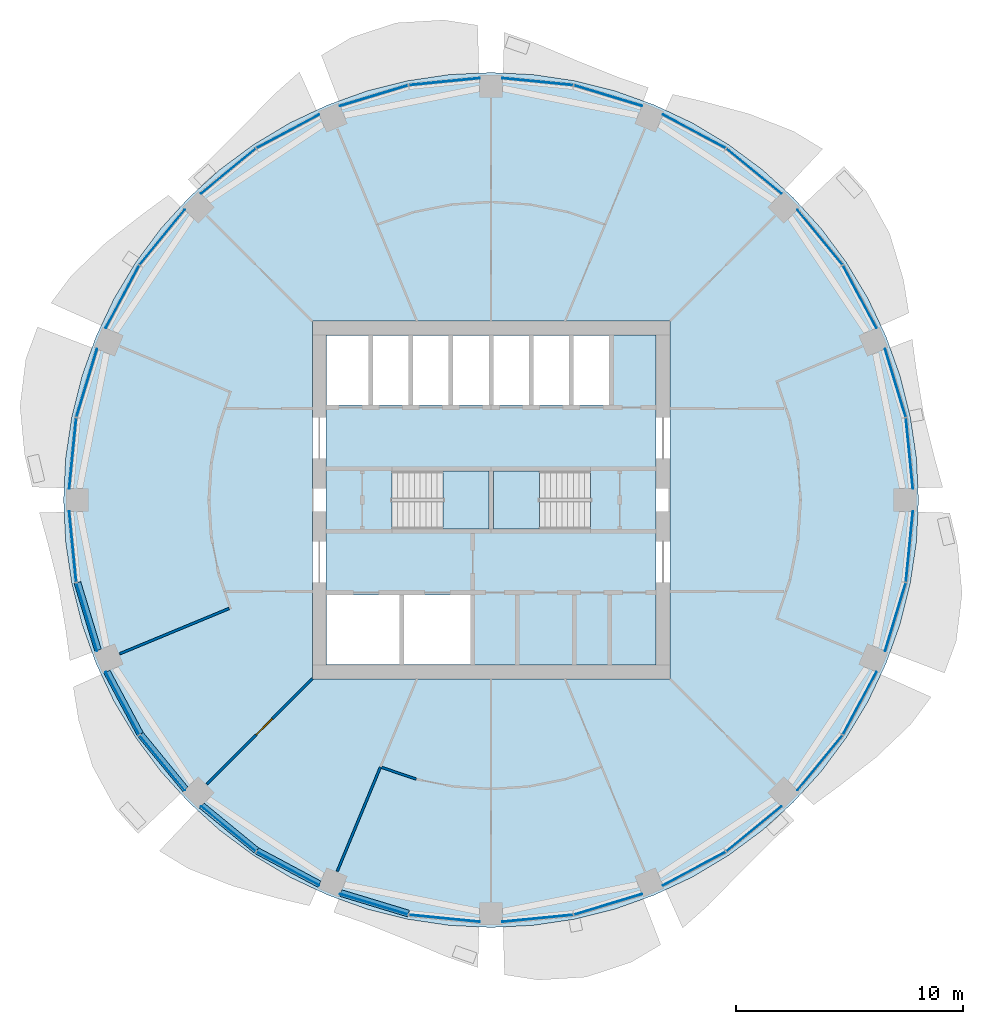
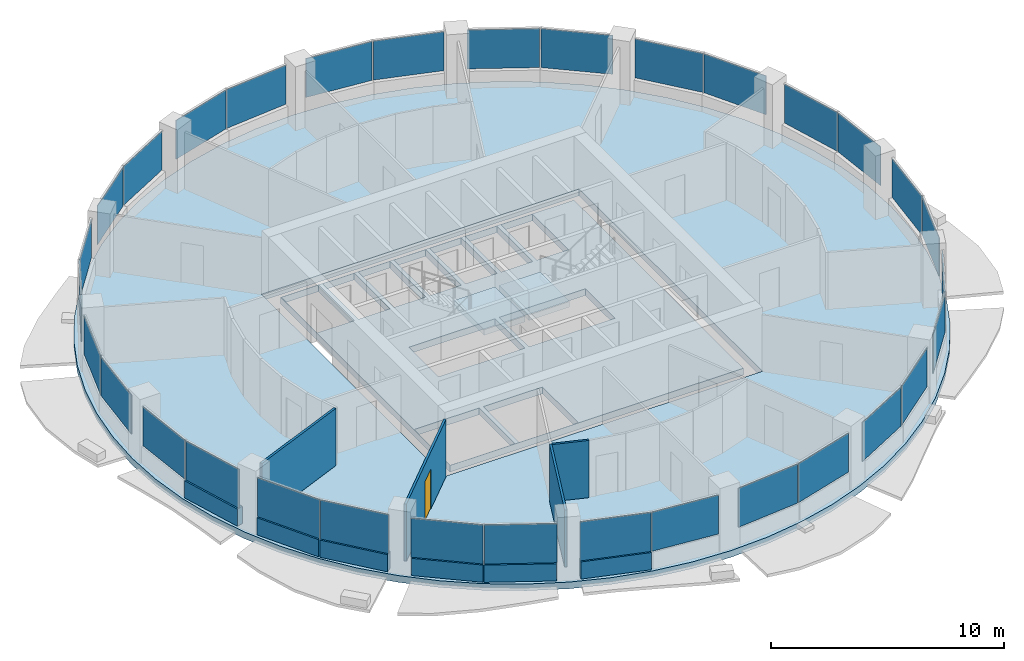
# One storey, part 7 of 15: 32 plates, 10 walls, 4 slabs, 1 door, 1 opening, 18 elements without a shape of their own.
"""IFC4 building model written with IfcOpenShell, lengths in metres."""

from ifc_helpers import new_model, si_unit, direction, frame, frame_2d, origin, origin_2d, place, context, subcontext, project, spatial, polyline, rectangle, outline, extrude, material, layer, layer_set, type_object, element, fill, aggregate, save


model = new_model("IFC4")

# Units and contexts
model_context = context("Model", 3, precision=1e-05, world=origin(), true_north=direction((0.0, 1.0)))
body_context = subcontext(model_context, "Body", "Model", "MODEL_VIEW")
ifc_project = project(units=[si_unit("LENGTHUNIT", "METRE"), si_unit("AREAUNIT", "SQUARE_METRE"), si_unit("VOLUMEUNIT", "CUBIC_METRE"), si_unit("PLANEANGLEUNIT", "RADIAN"), si_unit("MASSUNIT", "GRAM", prefix="KILO")], contexts=[model_context])

# Site, building, storey
site_placement = place(None, origin())
site = spatial("IfcSite", under=ifc_project, at=site_placement, CompositionType="ELEMENT")
building_placement = place(site_placement, origin())
building = spatial("IfcBuilding", under=site, at=building_placement, Name="Polderwave Tower", CompositionType="ELEMENT")
storey_placement = place(building_placement, frame((0.0, 0.0, 157.800048828125)))
storey = spatial("IfcBuildingStorey", under=building, at=storey_placement, Name="L42", CompositionType="ELEMENT", Elevation=157.800048828125)

# Slab
ifc_material_1 = material(Name="Concrete C40/50", Category="concrete")
ifc_layer_1 = layer(ifc_material_1, 0.35009765625)
ifc_layer_set_1 = layer_set([ifc_layer_1], Name="Core floor slab 350")
slab_type_1 = type_object("IfcSlabType", Name="Core floor slab 350", PredefinedType="FLOOR", material=ifc_layer_set_1)
slab_1_placement = place(storey_placement, frame((0.0, 0.0, -0.35009765625)))
element("IfcSlab", 1, at=slab_1_placement, inside=storey, type_object=slab_type_1, Name="L42 core floor", PredefinedType="FLOOR", context=body_context, shape_type="SweptSolid", body=[
    extrude(outline(polyline([(-7.27392578125, -7.27392578125), (7.27392578125, -7.27392578125), (7.27392578125, 7.27392578125), (-7.27392578125, 7.27392578125), (-7.27392578125, -7.27392578125)]), holes=[polyline([(-7.25390625, -7.25390625), (-4.037109375, -7.25390625), (-4.037109375, -4.174072265625), (-7.25390625, -4.174072265625), (-7.25390625, -7.25390625)]), polyline([(-3.8369140625, -7.25390625), (-0.89990234375, -7.25390625), (-0.89990234375, -4.174072265625), (-3.8369140625, -4.174072265625), (-3.8369140625, -7.25390625)]), polyline([(-7.25390625, 4.174072265625), (-5.405517578125, 4.174072265625), (-5.405517578125, 7.25390625), (-7.25390625, 7.25390625), (-7.25390625, 4.174072265625)]), polyline([(-5.20556640625, 4.174072265625), (-3.636962890625, 4.174072265625), (-3.636962890625, 7.25390625), (-5.20556640625, 7.25390625), (-5.20556640625, 4.174072265625)]), polyline([(-3.43701171875, 4.174072265625), (-1.868408203125, 4.174072265625), (-1.868408203125, 7.25390625), (-3.43701171875, 7.25390625), (-3.43701171875, 4.174072265625)]), polyline([(-1.66845703125, 4.174072265625), (-0.10009765625, 4.174072265625), (-0.10009765625, 7.25390625), (-1.66845703125, 7.25390625), (-1.66845703125, 4.174072265625)]), polyline([(0.10009765625, 4.174072265625), (1.66845703125, 4.174072265625), (1.66845703125, 7.25390625), (0.10009765625, 7.25390625), (0.10009765625, 4.174072265625)]), polyline([(1.868408203125, 4.174072265625), (3.43701171875, 4.174072265625), (3.43701171875, 7.25390625), (1.868408203125, 7.25390625), (1.868408203125, 4.174072265625)]), polyline([(3.636962890625, 4.174072265625), (5.20556640625, 4.174072265625), (5.20556640625, 7.25390625), (3.636962890625, 7.25390625), (3.636962890625, 4.174072265625)]), polyline([(-4.37353515625, -1.2744140625), (-0.1005859375, -1.2744140625), (-0.1005859375, 1.2744140625), (-4.37353515625, 1.2744140625), (-4.37353515625, -1.2744140625)]), polyline([(0.1005859375, -1.2744140625), (4.37353515625, -1.2744140625), (4.37353515625, 1.2744140625), (0.1005859375, 1.2744140625), (0.1005859375, -1.2744140625)])]), origin(), (0.0, 0.0, 1.0), 0.35009765625),
])

# Curtain wall, plates
ifc_material_2 = material(Name="Aluminium 6063-T6 and glass", Category="aluminium")
curtain_wall_type = type_object("IfcCurtainWallType", Name="Office ribbon glazing wall", PredefinedType="NOTDEFINED", material=ifc_material_2)
curtain_wall_1_placement = place(storey_placement, origin())
curtain_wall_1 = element("IfcCurtainWall", 2, at=curtain_wall_1_placement, inside=storey, type_object=curtain_wall_type, Name="CW3 L42 00", PredefinedType="NOTDEFINED")
ifc_material_3 = material(Name="Glass, low-e laminated double glazing", Category="glass")
ifc_layer_2 = layer(ifc_material_3, 0.031982421875)
ifc_layer_set_2 = layer_set([ifc_layer_2], Name="Office ribbon glazing glass panel 32 mm")
plate_type = type_object("IfcPlateType", Name="Office ribbon glazing glass panel 32 mm", PredefinedType="CURTAIN_PANEL", material=ifc_layer_set_2)
plate_1_placement = place(storey_placement, frame((18.427734375, 2.0537109375, 0.89990234375), z_axis=(0.0, 0.0, 1.0), x_axis=(-0.098090090917, 0.995177538967, 0.0)))
plate_1 = element("IfcPlate", 3, at=plate_1_placement, type_object=plate_type, Name="CW3 panel 1", PredefinedType="CURTAIN_PANEL", context=body_context, shape_type="SweptSolid", body=[
    extrude(rectangle(XDim=3.122802734375, YDim=0.031982421875, at=origin_2d()), origin(), (0.0, 0.0, 1.0), 2.0400390625),
])
plate_2_placement = place(storey_placement, frame((17.81103515625, 5.1552734375, 0.89990234375), z_axis=(0.0, 0.0, 1.0), x_axis=(-0.290201167351, 0.956965664205, 0.0)))
plate_2 = element("IfcPlate", 4, at=plate_2_placement, type_object=plate_type, Name="CW3 panel 2", PredefinedType="CURTAIN_PANEL", context=body_context, shape_type="SweptSolid", body=[
    extrude(rectangle(XDim=3.1220703125, YDim=0.031982421875, at=origin_2d()), origin(), (0.0, 0.0, 1.0), 2.0400390625),
])
aggregate(curtain_wall_1, [plate_1, plate_2])

curtain_wall_2_placement = place(storey_placement, origin())
curtain_wall_2 = element("IfcCurtainWall", 5, at=curtain_wall_2_placement, inside=storey, type_object=curtain_wall_type, Name="CW3 L42 01", PredefinedType="NOTDEFINED")
plate_3_placement = place(storey_placement, frame((16.239013671875, 8.948974609375, 0.89990234375), z_axis=(0.0, 0.0, 1.0), x_axis=(-0.471429060612, 0.881903986163, 0.0)))
plate_3 = element("IfcPlate", 6, at=plate_3_placement, type_object=plate_type, Name="CW3 panel 1", PredefinedType="CURTAIN_PANEL", context=body_context, shape_type="SweptSolid", body=[
    extrude(rectangle(XDim=3.12255859375, YDim=0.031982421875, at=origin_2d()), origin(), (0.0, 0.0, 1.0), 2.0400390625),
])
plate_4_placement = place(storey_placement, frame((14.482421875, 11.578125, 0.89990234375), z_axis=(0.0, 0.0, 1.0), x_axis=(-0.63432582386, 0.773065811677, 0.0)))
plate_4 = element("IfcPlate", 7, at=plate_4_placement, type_object=plate_type, Name="CW3 panel 2", PredefinedType="CURTAIN_PANEL", context=body_context, shape_type="SweptSolid", body=[
    extrude(rectangle(XDim=3.122314453125, YDim=0.031982421875, at=origin_2d()), origin(), (0.0, 0.0, 1.0), 2.0400390625),
])
aggregate(curtain_wall_2, [plate_3, plate_4])

curtain_wall_3_placement = place(storey_placement, origin())
curtain_wall_3 = element("IfcCurtainWall", 8, at=curtain_wall_3_placement, inside=storey, type_object=curtain_wall_type, Name="CW3 L42 02", PredefinedType="NOTDEFINED")
plate_5_placement = place(storey_placement, frame((11.578125, 14.482421875, 0.89990234375), z_axis=(0.0, 0.0, 1.0), x_axis=(-0.773065811677, 0.63432582386, 0.0)))
plate_5 = element("IfcPlate", 9, at=plate_5_placement, type_object=plate_type, Name="CW3 panel 1", PredefinedType="CURTAIN_PANEL", context=body_context, shape_type="SweptSolid", body=[
    extrude(rectangle(XDim=3.122314453125, YDim=0.031982421875, at=origin_2d()), origin(), (0.0, 0.0, 1.0), 2.0400390625),
])
plate_6_placement = place(storey_placement, frame((8.948974609375, 16.239013671875, 0.89990234375), z_axis=(0.0, 0.0, 1.0), x_axis=(-0.881903986163, 0.471429060612, 0.0)))
plate_6 = element("IfcPlate", 10, at=plate_6_placement, type_object=plate_type, Name="CW3 panel 2", PredefinedType="CURTAIN_PANEL", context=body_context, shape_type="SweptSolid", body=[
    extrude(rectangle(XDim=3.12255859375, YDim=0.031982421875, at=origin_2d()), origin(), (0.0, 0.0, 1.0), 2.0400390625),
])
aggregate(curtain_wall_3, [plate_5, plate_6])

curtain_wall_4_placement = place(storey_placement, origin())
curtain_wall_4 = element("IfcCurtainWall", 11, at=curtain_wall_4_placement, inside=storey, type_object=curtain_wall_type, Name="CW3 L42 03", PredefinedType="NOTDEFINED")
plate_7_placement = place(storey_placement, frame((5.1552734375, 17.81103515625, 0.89990234375), z_axis=(0.0, 0.0, 1.0), x_axis=(-0.956965664205, 0.290201167351, 0.0)))
plate_7 = element("IfcPlate", 12, at=plate_7_placement, type_object=plate_type, Name="CW3 panel 1", PredefinedType="CURTAIN_PANEL", context=body_context, shape_type="SweptSolid", body=[
    extrude(rectangle(XDim=3.1220703125, YDim=0.031982421875, at=origin_2d()), origin(), (0.0, 0.0, 1.0), 2.0400390625),
])
plate_8_placement = place(storey_placement, frame((2.0537109375, 18.427734375, 0.89990234375), z_axis=(0.0, 0.0, 1.0), x_axis=(-0.995177538967, 0.098090090917, 0.0)))
plate_8 = element("IfcPlate", 13, at=plate_8_placement, type_object=plate_type, Name="CW3 panel 2", PredefinedType="CURTAIN_PANEL", context=body_context, shape_type="SweptSolid", body=[
    extrude(rectangle(XDim=3.122802734375, YDim=0.031982421875, at=origin_2d()), origin(), (0.0, 0.0, 1.0), 2.0400390625),
])
aggregate(curtain_wall_4, [plate_7, plate_8])

curtain_wall_5_placement = place(storey_placement, origin())
curtain_wall_5 = element("IfcCurtainWall", 14, at=curtain_wall_5_placement, inside=storey, type_object=curtain_wall_type, Name="CW3 L42 04", PredefinedType="NOTDEFINED")
plate_9_placement = place(storey_placement, frame((-2.0537109375, 18.427734375, 0.89990234375), z_axis=(0.0, 0.0, 1.0), x_axis=(-0.995177538967, -0.098090090917, 0.0)))
plate_9 = element("IfcPlate", 15, at=plate_9_placement, type_object=plate_type, Name="CW3 panel 1", PredefinedType="CURTAIN_PANEL", context=body_context, shape_type="SweptSolid", body=[
    extrude(rectangle(XDim=3.122802734375, YDim=0.031982421875, at=origin_2d()), origin(), (0.0, 0.0, 1.0), 2.0400390625),
])
plate_10_placement = place(storey_placement, frame((-5.1552734375, 17.81103515625, 0.89990234375), z_axis=(0.0, 0.0, 1.0), x_axis=(-0.956965664205, -0.290201167351, 0.0)))
plate_10 = element("IfcPlate", 16, at=plate_10_placement, type_object=plate_type, Name="CW3 panel 2", PredefinedType="CURTAIN_PANEL", context=body_context, shape_type="SweptSolid", body=[
    extrude(rectangle(XDim=3.1220703125, YDim=0.031982421875, at=origin_2d()), origin(), (0.0, 0.0, 1.0), 2.0400390625),
])
aggregate(curtain_wall_5, [plate_9, plate_10])

curtain_wall_6_placement = place(storey_placement, origin())
curtain_wall_6 = element("IfcCurtainWall", 17, at=curtain_wall_6_placement, inside=storey, type_object=curtain_wall_type, Name="CW3 L42 05", PredefinedType="NOTDEFINED")
plate_11_placement = place(storey_placement, frame((-8.948974609375, 16.239013671875, 0.89990234375), z_axis=(0.0, 0.0, 1.0), x_axis=(-0.881903986163, -0.471429060612, 0.0)))
plate_11 = element("IfcPlate", 18, at=plate_11_placement, type_object=plate_type, Name="CW3 panel 1", PredefinedType="CURTAIN_PANEL", context=body_context, shape_type="SweptSolid", body=[
    extrude(rectangle(XDim=3.12255859375, YDim=0.031982421875, at=origin_2d()), origin(), (0.0, 0.0, 1.0), 2.0400390625),
])
plate_12_placement = place(storey_placement, frame((-11.578125, 14.482421875, 0.89990234375), z_axis=(0.0, 0.0, 1.0), x_axis=(-0.773065811677, -0.63432582386, 0.0)))
plate_12 = element("IfcPlate", 19, at=plate_12_placement, type_object=plate_type, Name="CW3 panel 2", PredefinedType="CURTAIN_PANEL", context=body_context, shape_type="SweptSolid", body=[
    extrude(rectangle(XDim=3.122314453125, YDim=0.031982421875, at=origin_2d()), origin(), (0.0, 0.0, 1.0), 2.0400390625),
])
aggregate(curtain_wall_6, [plate_11, plate_12])

curtain_wall_7_placement = place(storey_placement, origin())
curtain_wall_7 = element("IfcCurtainWall", 20, at=curtain_wall_7_placement, inside=storey, type_object=curtain_wall_type, Name="CW3 L42 06", PredefinedType="NOTDEFINED")
plate_13_placement = place(storey_placement, frame((-14.482421875, 11.578125, 0.89990234375), z_axis=(0.0, 0.0, 1.0), x_axis=(-0.63432582386, -0.773065811677, 0.0)))
plate_13 = element("IfcPlate", 21, at=plate_13_placement, type_object=plate_type, Name="CW3 panel 1", PredefinedType="CURTAIN_PANEL", context=body_context, shape_type="SweptSolid", body=[
    extrude(rectangle(XDim=3.122314453125, YDim=0.031982421875, at=origin_2d()), origin(), (0.0, 0.0, 1.0), 2.0400390625),
])
plate_14_placement = place(storey_placement, frame((-16.239013671875, 8.948974609375, 0.89990234375), z_axis=(0.0, 0.0, 1.0), x_axis=(-0.471429060612, -0.881903986163, 0.0)))
plate_14 = element("IfcPlate", 22, at=plate_14_placement, type_object=plate_type, Name="CW3 panel 2", PredefinedType="CURTAIN_PANEL", context=body_context, shape_type="SweptSolid", body=[
    extrude(rectangle(XDim=3.12255859375, YDim=0.031982421875, at=origin_2d()), origin(), (0.0, 0.0, 1.0), 2.0400390625),
])
aggregate(curtain_wall_7, [plate_13, plate_14])

curtain_wall_8_placement = place(storey_placement, origin())
curtain_wall_8 = element("IfcCurtainWall", 23, at=curtain_wall_8_placement, inside=storey, type_object=curtain_wall_type, Name="CW3 L42 07", PredefinedType="NOTDEFINED")
plate_15_placement = place(storey_placement, frame((-17.81103515625, 5.1552734375, 0.89990234375), z_axis=(0.0, 0.0, 1.0), x_axis=(-0.290201167351, -0.956965664205, 0.0)))
plate_15 = element("IfcPlate", 24, at=plate_15_placement, type_object=plate_type, Name="CW3 panel 1", PredefinedType="CURTAIN_PANEL", context=body_context, shape_type="SweptSolid", body=[
    extrude(rectangle(XDim=3.1220703125, YDim=0.031982421875, at=origin_2d()), origin(), (0.0, 0.0, 1.0), 2.0400390625),
])
plate_16_placement = place(storey_placement, frame((-18.427734375, 2.0537109375, 0.89990234375), z_axis=(0.0, 0.0, 1.0), x_axis=(-0.098090090917, -0.995177538967, 0.0)))
plate_16 = element("IfcPlate", 25, at=plate_16_placement, type_object=plate_type, Name="CW3 panel 2", PredefinedType="CURTAIN_PANEL", context=body_context, shape_type="SweptSolid", body=[
    extrude(rectangle(XDim=3.122802734375, YDim=0.031982421875, at=origin_2d()), origin(), (0.0, 0.0, 1.0), 2.0400390625),
])
aggregate(curtain_wall_8, [plate_15, plate_16])

curtain_wall_9_placement = place(storey_placement, origin())
curtain_wall_9 = element("IfcCurtainWall", 26, at=curtain_wall_9_placement, inside=storey, type_object=curtain_wall_type, Name="CW3 L42 08", PredefinedType="NOTDEFINED")
plate_17_placement = place(storey_placement, frame((-18.427734375, -2.0537109375, 0.89990234375), z_axis=(0.0, 0.0, 1.0), x_axis=(0.098090090917, -0.995177538967, 0.0)))
plate_17 = element("IfcPlate", 27, at=plate_17_placement, type_object=plate_type, Name="CW3 panel 1", PredefinedType="CURTAIN_PANEL", context=body_context, shape_type="SweptSolid", body=[
    extrude(rectangle(XDim=3.122802734375, YDim=0.031982421875, at=origin_2d()), origin(), (0.0, 0.0, 1.0), 2.0400390625),
])
plate_18_placement = place(storey_placement, frame((-17.81103515625, -5.1552734375, 0.89990234375), z_axis=(0.0, 0.0, 1.0), x_axis=(0.290201167351, -0.956965664205, 0.0)))
plate_18 = element("IfcPlate", 28, at=plate_18_placement, type_object=plate_type, Name="CW3 panel 2", PredefinedType="CURTAIN_PANEL", context=body_context, shape_type="SweptSolid", body=[
    extrude(rectangle(XDim=3.1220703125, YDim=0.031982421875, at=origin_2d()), origin(), (0.0, 0.0, 1.0), 2.0400390625),
])
aggregate(curtain_wall_9, [plate_17, plate_18])

curtain_wall_10_placement = place(storey_placement, origin())
curtain_wall_10 = element("IfcCurtainWall", 29, at=curtain_wall_10_placement, inside=storey, type_object=curtain_wall_type, Name="CW3 L42 09", PredefinedType="NOTDEFINED")
plate_19_placement = place(storey_placement, frame((-16.239013671875, -8.948974609375, 0.89990234375), z_axis=(0.0, 0.0, 1.0), x_axis=(0.471429060612, -0.881903986163, 0.0)))
plate_19 = element("IfcPlate", 30, at=plate_19_placement, type_object=plate_type, Name="CW3 panel 1", PredefinedType="CURTAIN_PANEL", context=body_context, shape_type="SweptSolid", body=[
    extrude(rectangle(XDim=3.12255859375, YDim=0.031982421875, at=origin_2d()), origin(), (0.0, 0.0, 1.0), 2.0400390625),
])
plate_20_placement = place(storey_placement, frame((-14.482421875, -11.578125, 0.89990234375), z_axis=(0.0, 0.0, 1.0), x_axis=(0.63432582386, -0.773065811677, 0.0)))
plate_20 = element("IfcPlate", 31, at=plate_20_placement, type_object=plate_type, Name="CW3 panel 2", PredefinedType="CURTAIN_PANEL", context=body_context, shape_type="SweptSolid", body=[
    extrude(rectangle(XDim=3.122314453125, YDim=0.031982421875, at=origin_2d()), origin(), (0.0, 0.0, 1.0), 2.0400390625),
])
aggregate(curtain_wall_10, [plate_19, plate_20])

curtain_wall_11_placement = place(storey_placement, origin())
curtain_wall_11 = element("IfcCurtainWall", 32, at=curtain_wall_11_placement, inside=storey, type_object=curtain_wall_type, Name="CW3 L42 10", PredefinedType="NOTDEFINED")
plate_21_placement = place(storey_placement, frame((-11.578125, -14.482421875, 0.89990234375), z_axis=(0.0, 0.0, 1.0), x_axis=(0.773065811677, -0.63432582386, 0.0)))
plate_21 = element("IfcPlate", 33, at=plate_21_placement, type_object=plate_type, Name="CW3 panel 1", PredefinedType="CURTAIN_PANEL", context=body_context, shape_type="SweptSolid", body=[
    extrude(rectangle(XDim=3.122314453125, YDim=0.031982421875, at=origin_2d()), origin(), (0.0, 0.0, 1.0), 2.0400390625),
])
plate_22_placement = place(storey_placement, frame((-8.948974609375, -16.239013671875, 0.89990234375), z_axis=(0.0, 0.0, 1.0), x_axis=(0.881903986163, -0.471429060612, 0.0)))
plate_22 = element("IfcPlate", 34, at=plate_22_placement, type_object=plate_type, Name="CW3 panel 2", PredefinedType="CURTAIN_PANEL", context=body_context, shape_type="SweptSolid", body=[
    extrude(rectangle(XDim=3.12255859375, YDim=0.031982421875, at=origin_2d()), origin(), (0.0, 0.0, 1.0), 2.0400390625),
])
aggregate(curtain_wall_11, [plate_21, plate_22])

curtain_wall_12_placement = place(storey_placement, origin())
curtain_wall_12 = element("IfcCurtainWall", 35, at=curtain_wall_12_placement, inside=storey, type_object=curtain_wall_type, Name="CW3 L42 11", PredefinedType="NOTDEFINED")
plate_23_placement = place(storey_placement, frame((-5.1552734375, -17.81103515625, 0.89990234375), z_axis=(0.0, 0.0, 1.0), x_axis=(0.956965664205, -0.290201167351, 0.0)))
plate_23 = element("IfcPlate", 36, at=plate_23_placement, type_object=plate_type, Name="CW3 panel 1", PredefinedType="CURTAIN_PANEL", context=body_context, shape_type="SweptSolid", body=[
    extrude(rectangle(XDim=3.1220703125, YDim=0.031982421875, at=origin_2d()), origin(), (0.0, 0.0, 1.0), 2.0400390625),
])
plate_24_placement = place(storey_placement, frame((-2.0537109375, -18.427734375, 0.89990234375), z_axis=(0.0, 0.0, 1.0), x_axis=(0.995177538967, -0.098090090917, 0.0)))
plate_24 = element("IfcPlate", 37, at=plate_24_placement, type_object=plate_type, Name="CW3 panel 2", PredefinedType="CURTAIN_PANEL", context=body_context, shape_type="SweptSolid", body=[
    extrude(rectangle(XDim=3.122802734375, YDim=0.031982421875, at=origin_2d()), origin(), (0.0, 0.0, 1.0), 2.0400390625),
])
aggregate(curtain_wall_12, [plate_23, plate_24])

curtain_wall_13_placement = place(storey_placement, origin())
curtain_wall_13 = element("IfcCurtainWall", 38, at=curtain_wall_13_placement, inside=storey, type_object=curtain_wall_type, Name="CW3 L42 12", PredefinedType="NOTDEFINED")
plate_25_placement = place(storey_placement, frame((2.0537109375, -18.427734375, 0.89990234375), z_axis=(0.0, 0.0, 1.0), x_axis=(0.995177538967, 0.098090090917, 0.0)))
plate_25 = element("IfcPlate", 39, at=plate_25_placement, type_object=plate_type, Name="CW3 panel 1", PredefinedType="CURTAIN_PANEL", context=body_context, shape_type="SweptSolid", body=[
    extrude(rectangle(XDim=3.122802734375, YDim=0.031982421875, at=origin_2d()), origin(), (0.0, 0.0, 1.0), 2.0400390625),
])
plate_26_placement = place(storey_placement, frame((5.1552734375, -17.81103515625, 0.89990234375), z_axis=(0.0, 0.0, 1.0), x_axis=(0.956965664205, 0.290201167351, 0.0)))
plate_26 = element("IfcPlate", 40, at=plate_26_placement, type_object=plate_type, Name="CW3 panel 2", PredefinedType="CURTAIN_PANEL", context=body_context, shape_type="SweptSolid", body=[
    extrude(rectangle(XDim=3.1220703125, YDim=0.031982421875, at=origin_2d()), origin(), (0.0, 0.0, 1.0), 2.0400390625),
])
aggregate(curtain_wall_13, [plate_25, plate_26])

curtain_wall_14_placement = place(storey_placement, origin())
curtain_wall_14 = element("IfcCurtainWall", 41, at=curtain_wall_14_placement, inside=storey, type_object=curtain_wall_type, Name="CW3 L42 13", PredefinedType="NOTDEFINED")
plate_27_placement = place(storey_placement, frame((8.948974609375, -16.239013671875, 0.89990234375), z_axis=(0.0, 0.0, 1.0), x_axis=(0.881903986163, 0.471429060612, 0.0)))
plate_27 = element("IfcPlate", 42, at=plate_27_placement, type_object=plate_type, Name="CW3 panel 1", PredefinedType="CURTAIN_PANEL", context=body_context, shape_type="SweptSolid", body=[
    extrude(rectangle(XDim=3.12255859375, YDim=0.031982421875, at=origin_2d()), origin(), (0.0, 0.0, 1.0), 2.0400390625),
])
plate_28_placement = place(storey_placement, frame((11.578125, -14.482421875, 0.89990234375), z_axis=(0.0, 0.0, 1.0), x_axis=(0.773065811677, 0.63432582386, 0.0)))
plate_28 = element("IfcPlate", 43, at=plate_28_placement, type_object=plate_type, Name="CW3 panel 2", PredefinedType="CURTAIN_PANEL", context=body_context, shape_type="SweptSolid", body=[
    extrude(rectangle(XDim=3.122314453125, YDim=0.031982421875, at=origin_2d()), origin(), (0.0, 0.0, 1.0), 2.0400390625),
])
aggregate(curtain_wall_14, [plate_27, plate_28])

curtain_wall_15_placement = place(storey_placement, origin())
curtain_wall_15 = element("IfcCurtainWall", 44, at=curtain_wall_15_placement, inside=storey, type_object=curtain_wall_type, Name="CW3 L42 14", PredefinedType="NOTDEFINED")
plate_29_placement = place(storey_placement, frame((14.482421875, -11.578125, 0.89990234375), z_axis=(0.0, 0.0, 1.0), x_axis=(0.63432582386, 0.773065811677, 0.0)))
plate_29 = element("IfcPlate", 45, at=plate_29_placement, type_object=plate_type, Name="CW3 panel 1", PredefinedType="CURTAIN_PANEL", context=body_context, shape_type="SweptSolid", body=[
    extrude(rectangle(XDim=3.122314453125, YDim=0.031982421875, at=origin_2d()), origin(), (0.0, 0.0, 1.0), 2.0400390625),
])
plate_30_placement = place(storey_placement, frame((16.239013671875, -8.948974609375, 0.89990234375), z_axis=(0.0, 0.0, 1.0), x_axis=(0.471429060612, 0.881903986163, 0.0)))
plate_30 = element("IfcPlate", 46, at=plate_30_placement, type_object=plate_type, Name="CW3 panel 2", PredefinedType="CURTAIN_PANEL", context=body_context, shape_type="SweptSolid", body=[
    extrude(rectangle(XDim=3.12255859375, YDim=0.031982421875, at=origin_2d()), origin(), (0.0, 0.0, 1.0), 2.0400390625),
])
aggregate(curtain_wall_15, [plate_29, plate_30])

curtain_wall_16_placement = place(storey_placement, origin())
curtain_wall_16 = element("IfcCurtainWall", 47, at=curtain_wall_16_placement, inside=storey, type_object=curtain_wall_type, Name="CW3 L42 15", PredefinedType="NOTDEFINED")
plate_31_placement = place(storey_placement, frame((17.81103515625, -5.1552734375, 0.89990234375), z_axis=(0.0, 0.0, 1.0), x_axis=(0.290201167351, 0.956965664205, 0.0)))
plate_31 = element("IfcPlate", 48, at=plate_31_placement, type_object=plate_type, Name="CW3 panel 1", PredefinedType="CURTAIN_PANEL", context=body_context, shape_type="SweptSolid", body=[
    extrude(rectangle(XDim=3.1220703125, YDim=0.031982421875, at=origin_2d()), origin(), (0.0, 0.0, 1.0), 2.0400390625),
])
plate_32_placement = place(storey_placement, frame((18.427734375, -2.0537109375, 0.89990234375), z_axis=(0.0, 0.0, 1.0), x_axis=(0.098090090917, 0.995177538967, 0.0)))
plate_32 = element("IfcPlate", 49, at=plate_32_placement, type_object=plate_type, Name="CW3 panel 2", PredefinedType="CURTAIN_PANEL", context=body_context, shape_type="SweptSolid", body=[
    extrude(rectangle(XDim=3.122802734375, YDim=0.031982421875, at=origin_2d()), origin(), (0.0, 0.0, 1.0), 2.0400390625),
])
aggregate(curtain_wall_16, [plate_31, plate_32])

# Slab
ifc_layer_3 = layer(ifc_material_1, 0.35009765625)
ifc_layer_set_3 = layer_set([ifc_layer_3], Name="PT FLOOR SLAB 350 C40/50")
slab_type_2 = type_object("IfcSlabType", Name="PT FLOOR SLAB 350 C40/50", PredefinedType="FLOOR", material=ifc_layer_set_3)
slab_2_placement = place(storey_placement, frame((0.0, 0.0, -0.35009765625)))
element("IfcSlab", 50, at=slab_2_placement, inside=storey, type_object=slab_type_2, Name="ST-SLAB-L42", PredefinedType="FLOOR", context=body_context, shape_type="SweptSolid", body=[
    extrude(outline(polyline([(18.830078125, 0.0), (18.7392578125, 1.845703125), (18.46826171875, 3.673583984375), (18.019287109375, 5.466064453125), (17.396728515625, 7.205810546875), (16.606689453125, 8.87646484375), (15.656494140625, 10.46142578125), (14.555908203125, 11.945556640625), (13.314697265625, 13.314697265625), (11.945556640625, 14.555908203125), (10.46142578125, 15.656494140625), (8.87646484375, 16.606689453125), (7.205810546875, 17.396728515625), (5.466064453125, 18.019287109375), (3.673583984375, 18.46826171875), (1.845703125, 18.7392578125), (0.0, 18.830078125), (-1.845703125, 18.7392578125), (-3.673583984375, 18.46826171875), (-5.466064453125, 18.019287109375), (-7.205810546875, 17.396728515625), (-8.87646484375, 16.606689453125), (-10.46142578125, 15.656494140625), (-11.945556640625, 14.555908203125), (-13.314697265625, 13.314697265625), (-14.555908203125, 11.945556640625), (-15.656494140625, 10.46142578125), (-16.606689453125, 8.87646484375), (-17.396728515625, 7.205810546875), (-18.019287109375, 5.466064453125), (-18.46826171875, 3.673583984375), (-18.7392578125, 1.845703125), (-18.830078125, 0.0), (-18.7392578125, -1.845703125), (-18.46826171875, -3.673583984375), (-18.019287109375, -5.466064453125), (-17.396728515625, -7.205810546875), (-16.606689453125, -8.87646484375), (-15.656494140625, -10.46142578125), (-14.555908203125, -11.945556640625), (-13.314697265625, -13.314697265625), (-11.945556640625, -14.555908203125), (-10.46142578125, -15.656494140625), (-8.87646484375, -16.606689453125), (-7.205810546875, -17.396728515625), (-5.466064453125, -18.019287109375), (-3.673583984375, -18.46826171875), (-1.845703125, -18.7392578125), (0.0, -18.830078125), (1.845703125, -18.7392578125), (3.673583984375, -18.46826171875), (5.466064453125, -18.019287109375), (7.205810546875, -17.396728515625), (8.87646484375, -16.606689453125), (10.46142578125, -15.656494140625), (11.945556640625, -14.555908203125), (13.314697265625, -13.314697265625), (14.555908203125, -11.945556640625), (15.656494140625, -10.46142578125), (16.606689453125, -8.87646484375), (17.396728515625, -7.205810546875), (18.019287109375, -5.466064453125), (18.46826171875, -3.673583984375), (18.7392578125, -1.845703125), (18.830078125, 0.0)]), holes=[polyline([(-7.8740234375, -7.8740234375), (7.8740234375, -7.8740234375), (7.8740234375, 7.8740234375), (-7.8740234375, 7.8740234375), (-7.8740234375, -7.8740234375)])]), origin(), (0.0, 0.0, 1.0), 0.35009765625),
])

# Stair, slab
stair_type = type_object("IfcStairType", Name="Exit stair 1200 x 20 risers", PredefinedType="HALF_TURN_STAIR", material=ifc_material_1)
stair_1_placement = place(storey_placement, origin())
stair_1 = element("IfcStair", 51, at=stair_1_placement, inside=storey, type_object=stair_type, Name="L42 Exit stair A", PredefinedType="HALF_TURN_STAIR")
ifc_layer_4 = layer(ifc_material_1, 0.300048828125)
ifc_layer_set_4 = layer_set([ifc_layer_4], Name="Stair landing 300")
slab_type_3 = type_object("IfcSlabType", Name="Stair landing 300", PredefinedType="LANDING", material=ifc_layer_set_4)
slab_3_placement = place(storey_placement, frame((0.0, 0.0, 1.375)))
slab_3 = element("IfcSlab", 52, at=slab_3_placement, type_object=slab_type_3, Name="ST-A landing 1", PredefinedType="LANDING", context=body_context, shape_type="SweptSolid", body=[
    extrude(outline(polyline([(-2.1240234375, -1.27490234375), (-0.10009765625, -1.27490234375), (-0.10009765625, 1.27490234375), (-2.1240234375, 1.27490234375), (-2.1240234375, -1.27490234375)])), origin(), (0.0, 0.0, 1.0), 0.300048828125),
])
aggregate(stair_1, [slab_3])

stair_2_placement = place(storey_placement, origin())
stair_2 = element("IfcStair", 53, at=stair_2_placement, inside=storey, type_object=stair_type, Name="L42 Exit stair B", PredefinedType="HALF_TURN_STAIR")
slab_4_placement = place(storey_placement, frame((0.0, 0.0, 1.375)))
slab_4 = element("IfcSlab", 54, at=slab_4_placement, type_object=slab_type_3, Name="ST-B landing 1", PredefinedType="LANDING", context=body_context, shape_type="SweptSolid", body=[
    extrude(outline(polyline([(2.1240234375, 1.27490234375), (0.10009765625, 1.27490234375), (0.10009765625, -1.27490234375), (2.1240234375, -1.27490234375), (2.1240234375, 1.27490234375)])), origin(), (0.0, 0.0, 1.0), 0.300048828125),
])
aggregate(stair_2, [slab_4])

# Walls
ifc_material_4 = material(Name="Concrete C50/60 (board-marked)", Category="concrete")
ifc_layer_5 = layer(ifc_material_4, 0.300048828125)
ifc_layer_set_5 = layer_set([ifc_layer_5], Name="Concrete spandrel upstand C50/60")
wall_type_1 = type_object("IfcWallType", Name="Concrete spandrel upstand C50/60", PredefinedType="SOLIDWALL", material=ifc_layer_set_5)
wall_1_placement = place(storey_placement, frame((-18.218505859375, -3.639404296875, 0.0), z_axis=(0.0, 0.0, 1.0), x_axis=(0.29026219948, -0.956947154002, 0.0)))
element("IfcWall", 55, at=wall_1_placement, inside=storey, type_object=wall_type_1, Name="Spandrel L42 9b", PredefinedType="SOLIDWALL", context=body_context, shape_type="SweptSolid", body=[
    extrude(rectangle(XDim=3.111328125, YDim=0.300048828125, at=frame_2d((1.5556640625, 0.0))), origin(), (0.0, 0.0, 1.0), 0.89990234375),
])
wall_2_placement = place(storey_placement, frame((-16.921875, -7.565185546875, 0.0), z_axis=(0.0, 0.0, 1.0), x_axis=(0.471467771589, -0.881883291798, 0.0)))
element("IfcWall", 56, at=wall_2_placement, inside=storey, type_object=wall_type_1, Name="Spandrel L42 10a", PredefinedType="SOLIDWALL", context=body_context, shape_type="SweptSolid", body=[
    extrude(rectangle(XDim=3.111083984375, YDim=0.300048828125, at=frame_2d((1.5556640625, 0.0))), origin(), (0.0, 0.0, 1.0), 0.89990234375),
])
for number, where, z_axis, x_axis, name in (
    (57, (-15.4384765625, -10.33349609375, 0.0), (0.0, 0.0, 1.0), (0.634074896441, -0.773271637721, 0.0), "Spandrel L42 10b"),
    (58, (-12.739501953125, -13.465576171875, 0.0), (0.0, 0.0, 1.0), (0.773271637721, -0.634074896441, 0.0), "Spandrel L42 11a"),
):
    element("IfcWall", number, at=place(storey_placement, frame(where, z_axis=z_axis, x_axis=x_axis)), inside=storey, type_object=wall_type_1, Name=name, PredefinedType="SOLIDWALL", context=body_context, shape_type="SweptSolid", body=[
        extrude(rectangle(XDim=3.111572265625, YDim=0.300048828125, at=frame_2d((1.5556640625, 0.0))), origin(), (0.0, 0.0, 1.0), 0.89990234375),
    ])
wall_3_placement = place(storey_placement, frame((-10.308837890625, -15.455078125, 0.0), z_axis=(0.0, 0.0, 1.0), x_axis=(0.881883291798, -0.471467771589, 0.0)))
element("IfcWall", 59, at=wall_3_placement, inside=storey, type_object=wall_type_1, Name="Spandrel L42 11b", PredefinedType="SOLIDWALL", context=body_context, shape_type="SweptSolid", body=[
    extrude(rectangle(XDim=3.111083984375, YDim=0.300048828125, at=frame_2d((1.5556640625, 0.0))), origin(), (0.0, 0.0, 1.0), 0.89990234375),
])
wall_4_placement = place(storey_placement, frame((-6.61669921875, -17.3154296875, 0.0), z_axis=(0.0, 0.0, 1.0), x_axis=(0.956947154002, -0.29026219948, 0.0)))
element("IfcWall", 60, at=wall_4_placement, inside=storey, type_object=wall_type_1, Name="Spandrel L42 12a", PredefinedType="SOLIDWALL", context=body_context, shape_type="SweptSolid", body=[
    extrude(rectangle(XDim=3.111328125, YDim=0.300048828125, at=frame_2d((1.5556640625, 0.0))), origin(), (0.0, 0.0, 1.0), 0.89990234375),
])

# Wall, opening, door
ifc_material_5 = material(Name="Moisture-resistant board on steel studs, tiled", Category="steel")
ifc_layer_6 = layer(ifc_material_5, 0.10498046875)
ifc_layer_set_6 = layer_set([ifc_layer_6], Name="Partition 105 mm wet room board and tile")
wall_type_2 = type_object("IfcWallType", Name="Partition 105 mm wet room board and tile", PredefinedType="PARTITIONING", material=ifc_layer_set_6)
wall_5_placement = place(storey_placement, frame((-7.8740234375, -7.8740234375, 0.0), z_axis=(0.0, 0.0, 1.0), x_axis=(-0.707106781187, -0.707106781187, 0.0)))
wall_5 = element("IfcWall", 61, at=wall_5_placement, inside=storey, type_object=wall_type_2, Name="IN-L42-W039", PredefinedType="PARTITIONING", context=body_context, shape_type="SweptSolid", body=[
    extrude(rectangle(XDim=6.564453125, YDim=0.10498046875, at=frame_2d((3.2822265625, 0.0))), origin(), (0.0, 0.0, 1.0), 3.0),
])
opening_placement = place(wall_5_placement, frame((2.5, 0.0, 0.0)))
opening = element("IfcOpeningElement", 62, at=opening_placement, cuts=wall_5, Name="Opening L42-D62", PredefinedType="OPENING", context=body_context, shape_type="SweptSolid", body=[
    extrude(rectangle(XDim=1.0, YDim=2.10009765625, at=frame_2d((0.5, 1.050048828125))), frame((0.0, 0.0625, 0.0), z_axis=(0.0, -1.0, 0.0), x_axis=(1.0, 0.0, 0.0)), (0.0, 0.0, 1.0), 0.125),
])
ifc_material_6 = material(Name="Timber veneer door leaf", Category="wood")
door_type = type_object("IfcDoorType", Name="Single door 1000 x 2100", OperationType="NOTDEFINED", PredefinedType="DOOR", material=ifc_material_6)
door_placement = place(opening_placement, origin())
door = element("IfcDoor", 63, at=door_placement, inside=storey, type_object=door_type, Name="Door L42-D62", OperationType="SINGLE_SWING_LEFT", OverallHeight=2.10009765625, OverallWidth=1.0, PredefinedType="DOOR", context=body_context, shape_type="SweptSolid", body=[
    extrude(rectangle(XDim=1.0, YDim=2.10009765625, at=frame_2d((0.5, 1.050048828125))), frame((0.0, 0.02490234375, 0.0), z_axis=(0.0, -1.0, 0.0), x_axis=(1.0, 0.0, 0.0)), (0.0, 0.0, 1.0), 0.050048828125),
])
fill(opening, door)

# Walls
wall_6_placement = place(storey_placement, frame((-4.87158203125, -11.760986328125, 0.0), z_axis=(0.0, 0.0, 1.0), x_axis=(-0.38266126553, -0.923888714003, 0.0)))
element("IfcWall", 64, at=wall_6_placement, inside=storey, type_object=wall_type_2, Name="IN-L42-W041", PredefinedType="PARTITIONING", context=body_context, shape_type="SweptSolid", body=[
    extrude(rectangle(XDim=4.969970703125, YDim=0.10498046875, at=frame_2d((2.48486328125, 0.0))), origin(), (0.0, 0.0, 1.0), 3.0),
])
wall_7_placement = place(storey_placement, frame((-3.298095703125, -12.295166015625, 0.0), z_axis=(0.0, 0.0, 1.0), x_axis=(-0.946935734923, 0.321422951771, 0.0)))
element("IfcWall", 65, at=wall_7_placement, inside=storey, type_object=wall_type_2, Name="IN-L42-W042", PredefinedType="PARTITIONING", context=body_context, shape_type="SweptSolid", body=[
    extrude(rectangle(XDim=1.605712890625, YDim=0.10498046875, at=frame_2d((0.802734375, 0.0))), origin(), (0.0, 0.0, 1.0), 3.0),
])
ifc_material_7 = material(Name="Acoustic double plasterboard on steel studs", Category="steel")
ifc_layer_7 = layer(ifc_material_7, 0.110107421875)
ifc_layer_set_7 = layer_set([ifc_layer_7], Name="Partition 110 mm acoustic double board")
wall_type_3 = type_object("IfcWallType", Name="Partition 110 mm acoustic double board", PredefinedType="PARTITIONING", material=ifc_layer_set_7)
wall_8_placement = place(storey_placement, frame((-11.5380859375, -4.779296875, 0.0), z_axis=(0.0, 0.0, 1.0), x_axis=(-0.923891220199, -0.382655214572, 0.0)))
element("IfcWall", 66, at=wall_8_placement, inside=storey, type_object=wall_type_3, Name="IN-L42-W038", PredefinedType="PARTITIONING", context=body_context, shape_type="SweptSolid", body=[
    extrude(rectangle(XDim=5.21142578125, YDim=0.110107421875, at=frame_2d((2.605712890625, 0.0))), origin(), (0.0, 0.0, 1.0), 3.0),
])

save(model, "model.ifc")
